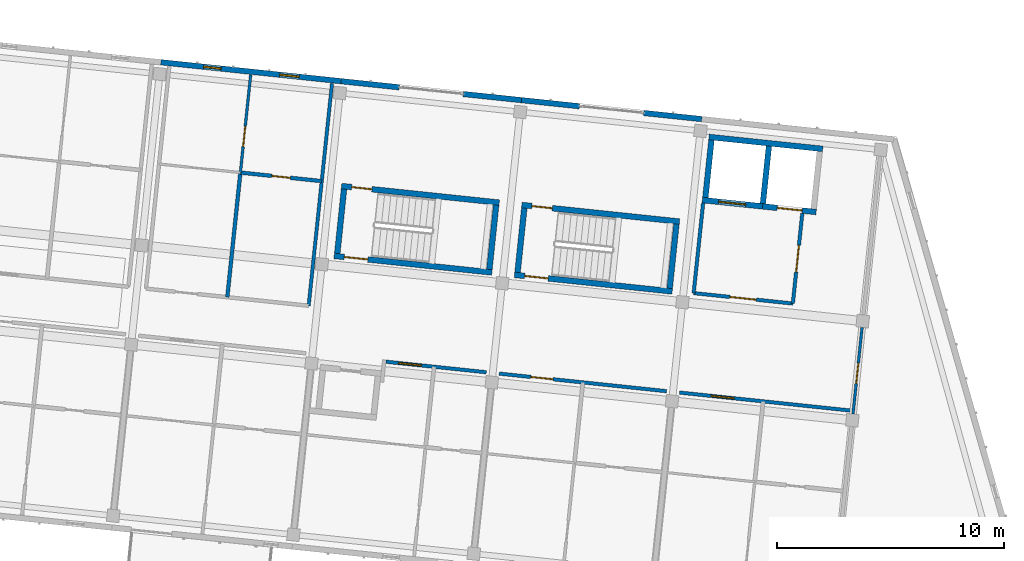
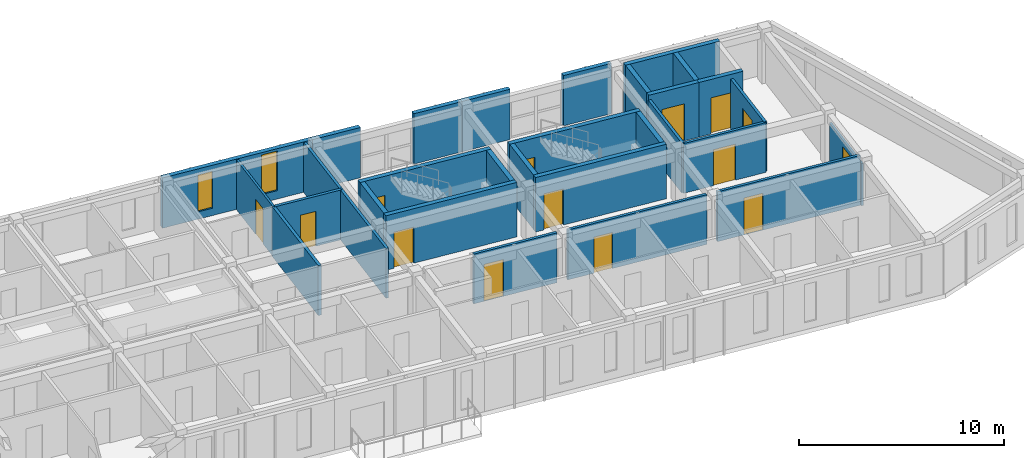
# One storey, part 38 of 66: 29 walls, 14 doors, 2 windows, 16 openings.
"""IFC4 building model written with IfcOpenShell, lengths in metres."""

from ifc_helpers import new_model, si_unit, direction, frame, frame_2d, origin, place, context, subcontext, project, spatial, rectangle, extrude, material, layer, layer_set, type_object, element, fill, save


model = new_model("IFC4")

# Units and contexts
model_context = context("Model", 3, precision=1e-05, world=origin(), true_north=direction((0.0, 1.0)))
body_context = subcontext(model_context, "Body", "Model", "MODEL_VIEW")
ifc_project = project(units=[si_unit("LENGTHUNIT", "METRE"), si_unit("AREAUNIT", "SQUARE_METRE"), si_unit("VOLUMEUNIT", "CUBIC_METRE"), si_unit("PLANEANGLEUNIT", "RADIAN"), si_unit("MASSUNIT", "GRAM", prefix="KILO")], contexts=[model_context])

# Site, building, storey
site_placement = place(None, origin())
site = spatial("IfcSite", under=ifc_project, at=site_placement, CompositionType="ELEMENT")
building_placement = place(site_placement, origin())
building = spatial("IfcBuilding", under=site, at=building_placement, Name="Kestramere Prow Commons", CompositionType="ELEMENT")
storey_placement = place(building_placement, frame((0.0, 0.0, 14.89990234375)))
storey = spatial("IfcBuildingStorey", under=building, at=storey_placement, Name="L04", CompositionType="ELEMENT", Elevation=14.89990234375)

# Wall, openings, windows
ifc_material_1 = material(Name="Fluoropolymer Standing-Seam Zinc-Aluminium Cladding", Category="aluminium")
ifc_layer_1 = layer(ifc_material_1, 0.239990234375)
ifc_layer_set_1 = layer_set([ifc_layer_1], Name="Fluoropolymer Standing-Seam Zinc-Aluminium Cladding")
wall_type_1 = type_object("IfcWallType", Name="EW-SEAM-240", PredefinedType="SOLIDWALL", material=ifc_layer_set_1)
wall_1_placement = place(storey_placement, frame((128.015869140625, 113.142333984375, 0.0), z_axis=(0.0, 0.0, 1.0), x_axis=(0.994522662826, -0.104521161134, 0.0)))
wall_1 = element("IfcWall", 1, at=wall_1_placement, inside=storey, type_object=wall_type_1, Name="Block B L04 North Standing-Seam Wall 3", PredefinedType="SOLIDWALL", context=body_context, shape_type="SweptSolid", body=[
    extrude(rectangle(XDim=8.0, YDim=0.239990234375, at=frame_2d((4.0, 0.0))), origin(), (0.0, 0.0, 1.0), 3.0),
])
opening_1_placement = place(wall_1_placement, frame((1.894775390625, 0.0, 0.43994140625)))
opening_1 = element("IfcOpeningElement", 2, at=opening_1_placement, cuts=wall_1, Name="Opening WN-11", PredefinedType="OPENING", context=body_context, shape_type="SweptSolid", body=[
    extrude(rectangle(XDim=0.780029296875, YDim=2.199951171875, at=frame_2d((0.39013671875, 1.10009765625))), frame((0.0, 0.135009765625, 0.0), z_axis=(0.0, -1.0, 0.0), x_axis=(1.0, 0.0, 0.0)), (0.0, 0.0, 1.0), 0.27001953125),
])
opening_2_placement = place(wall_1_placement, frame((5.27587890625, 0.0, 0.5)))
opening_2 = element("IfcOpeningElement", 3, at=opening_2_placement, cuts=wall_1, Name="Opening WN-15", PredefinedType="OPENING", context=body_context, shape_type="SweptSolid", body=[
    extrude(rectangle(XDim=0.860107421875, YDim=2.360107421875, at=frame_2d((0.43017578125, 1.18017578125))), frame((0.0, 0.135009765625, 0.0), z_axis=(0.0, -1.0, 0.0), x_axis=(1.0, 0.0, 0.0)), (0.0, 0.0, 1.0), 0.27001953125),
])
ifc_material_2 = material(Name="Low-E Laminated Double Glazing", Category="glass")
window_type_1 = type_object("IfcWindowType", Name="WN-NAR-780A", PartitioningType="SINGLE_PANEL", PredefinedType="WINDOW", material=ifc_material_2)
window_1_placement = place(opening_1_placement, origin())
window_1 = element("IfcWindow", 4, at=window_1_placement, inside=storey, type_object=window_type_1, Name="WN-B-L04-N-2-0", OverallHeight=2.199951171875, OverallWidth=0.780029296875, PartitioningType="SINGLE_PANEL", PredefinedType="WINDOW", context=body_context, shape_type="SweptSolid", body=[
    extrude(rectangle(XDim=0.780029296875, YDim=2.199951171875, at=frame_2d((0.39013671875, 1.10009765625))), frame((0.0, 0.030029296875, 0.0), z_axis=(0.0, -1.0, 0.0), x_axis=(1.0, 0.0, 0.0)), (0.0, 0.0, 1.0), 0.06005859375),
])
fill(opening_1, window_1)
window_type_2 = type_object("IfcWindowType", Name="WN-NAR-860A", PartitioningType="DOUBLE_PANEL_VERTICAL", PredefinedType="WINDOW", material=ifc_material_2)
window_2_placement = place(opening_2_placement, origin())
window_2 = element("IfcWindow", 5, at=window_2_placement, inside=storey, type_object=window_type_2, Name="WN-B-L04-N-2-1", OverallHeight=2.360107421875, OverallWidth=0.860107421875, PartitioningType="SINGLE_PANEL", PredefinedType="WINDOW", context=body_context, shape_type="SweptSolid", body=[
    extrude(rectangle(XDim=0.860107421875, YDim=2.360107421875, at=frame_2d((0.43017578125, 1.18017578125))), frame((0.0, 0.030029296875, 0.0), z_axis=(0.0, -1.0, 0.0), x_axis=(1.0, 0.0, 0.0)), (0.0, 0.0, 1.0), 0.06005859375),
])
fill(opening_2, window_2)

# Walls
for number, where, z_axis, x_axis, name in (
    (6, (135.97216796875, 112.30615234375, 0.0), (0.0, 0.0, 1.0), (0.99451635776, -0.104581136677, 0.0), "Block B L04 North Standing-Seam Pier 4L"),
    (7, (141.367431640625, 111.739013671875, 0.0), (0.0, 0.0, 1.0), (0.99451635776, -0.104581136677, 0.0), "Block B L04 North Standing-Seam Pier 4R"),
):
    element("IfcWall", number, at=place(storey_placement, frame(where, z_axis=z_axis, x_axis=x_axis)), inside=storey, type_object=wall_type_1, Name=name, PredefinedType="SOLIDWALL", context=body_context, shape_type="SweptSolid", body=[
        extrude(rectangle(XDim=2.574951171875, YDim=0.239990234375, at=frame_2d((1.28759765625, 0.0))), origin(), (0.0, 0.0, 1.0), 3.0),
    ])
wall_2_placement = place(storey_placement, frame((143.92822265625, 111.4697265625, 0.0), z_axis=(0.0, 0.0, 1.0), x_axis=(0.994527249958, -0.104477505191, 0.0)))
element("IfcWall", 8, at=wall_2_placement, inside=storey, type_object=wall_type_1, Name="Block B L04 North Standing-Seam Pier 5L", PredefinedType="SOLIDWALL", context=body_context, shape_type="SweptSolid", body=[
    extrude(rectangle(XDim=2.5751953125, YDim=0.239990234375, at=frame_2d((1.28759765625, 0.0))), origin(), (0.0, 0.0, 1.0), 3.0),
])
wall_3_placement = place(storey_placement, frame((149.32373046875, 110.90283203125, 0.0), z_axis=(0.0, 0.0, 1.0), x_axis=(0.99451635776, -0.104581136677, 0.0)))
element("IfcWall", 9, at=wall_3_placement, inside=storey, type_object=wall_type_1, Name="Block B L04 North Standing-Seam Pier 5R", PredefinedType="SOLIDWALL", context=body_context, shape_type="SweptSolid", body=[
    extrude(rectangle(XDim=2.574951171875, YDim=0.239990234375, at=frame_2d((1.28759765625, 0.0))), origin(), (0.0, 0.0, 1.0), 3.0),
])
ifc_material_3 = material(Name="Concrete C40/50", Category="concrete")
ifc_layer_2 = layer(ifc_material_3, 0.25)
ifc_layer_set_2 = layer_set([ifc_layer_2], Name="Concrete C40/50")
wall_type_2 = type_object("IfcWallType", Name="W-CORE-250", PredefinedType="SHEAR", material=ifc_layer_set_2)
wall_4_placement = place(storey_placement, frame((152.203857421875, 109.845947265625, 0.0), z_axis=(0.0, 0.0, 1.0), x_axis=(0.994522922189, -0.104518693261, 0.0)))
element("IfcWall", 10, at=wall_4_placement, inside=storey, type_object=wall_type_2, Name="Block B L04 Lift Core Back Wall", PredefinedType="SHEAR", context=body_context, shape_type="SweptSolid", body=[
    extrude(rectangle(XDim=5.050048828125, YDim=0.25, at=frame_2d((2.52490234375, 0.0))), origin(), (0.0, 0.0, 1.0), 3.25),
])

# Wall, opening, door
wall_5_placement = place(storey_placement, frame((151.9111328125, 107.061279296875, 0.0), z_axis=(0.0, 0.0, 1.0), x_axis=(0.994524939068, -0.104499500343, 0.0)))
wall_5 = element("IfcWall", 11, at=wall_5_placement, inside=storey, type_object=wall_type_2, Name="Block B L04 Fire Lift Shaft Front Wall", PredefinedType="SHEAR", context=body_context, shape_type="SweptSolid", body=[
    extrude(rectangle(XDim=2.675048828125, YDim=0.25, at=frame_2d((1.33740234375, 0.0))), origin(), (0.0, 0.0, 1.0), 3.25),
])
opening_3_placement = place(wall_5_placement, frame((0.719970703125, 0.0, 0.0)))
opening_3 = element("IfcOpeningElement", 12, at=opening_3_placement, cuts=wall_5, Name="Opening LD-02", PredefinedType="OPENING", context=body_context, shape_type="SweptSolid", body=[
    extrude(rectangle(XDim=1.199951171875, YDim=2.199951171875, at=frame_2d((0.60009765625, 1.10009765625))), frame((0.0, 0.139892578125, 0.0), z_axis=(0.0, -1.0, 0.0), x_axis=(1.0, 0.0, 0.0)), (0.0, 0.0, 1.0), 0.280029296875),
])
ifc_material_4 = material(Name="Brushed Stainless Steel 316", Category="steel")
door_type_1 = type_object("IfcDoorType", Name="LD-02", OperationType="DOUBLE_DOOR_SLIDING", PredefinedType="DOOR", material=ifc_material_4)
door_1_placement = place(opening_3_placement, origin())
door_1 = element("IfcDoor", 13, at=door_1_placement, inside=storey, type_object=door_type_1, Name="FL-B1 L04 Lift Landing Door", OperationType="DOUBLE_DOOR_SLIDING", OverallHeight=2.199951171875, OverallWidth=1.199951171875, PredefinedType="DOOR", context=body_context, shape_type="SweptSolid", body=[
    extrude(rectangle(XDim=1.199951171875, YDim=2.199951171875, at=frame_2d((0.60009765625, 1.10009765625))), frame((0.0, 0.02490234375, 0.0), z_axis=(0.0, -1.0, 0.0), x_axis=(1.0, 0.0, 0.0)), (0.0, 0.0, 1.0), 0.050048828125),
])
fill(opening_3, door_1)

wall_6_placement = place(storey_placement, frame((154.571533203125, 106.78173828125, 0.0), z_axis=(0.0, 0.0, 1.0), x_axis=(0.994520650134, -0.1045403102, 0.0)))
wall_6 = element("IfcWall", 14, at=wall_6_placement, inside=storey, type_object=wall_type_2, Name="Block B L04 Passenger Lift Shaft Front Wall", PredefinedType="SHEAR", context=body_context, shape_type="SweptSolid", body=[
    extrude(rectangle(XDim=2.375, YDim=0.25, at=frame_2d((1.1875, 0.0))), origin(), (0.0, 0.0, 1.0), 3.25),
])
opening_4_placement = place(wall_6_placement, frame((0.64990234375, 0.0, 0.0)))
opening_4 = element("IfcOpeningElement", 15, at=opening_4_placement, cuts=wall_6, Name="Opening LD-01", PredefinedType="OPENING", context=body_context, shape_type="SweptSolid", body=[
    extrude(rectangle(XDim=1.10009765625, YDim=2.14990234375, at=frame_2d((0.550048828125, 1.074951171875))), frame((0.0, 0.139892578125, 0.0), z_axis=(0.0, -1.0, 0.0), x_axis=(1.0, 0.0, 0.0)), (0.0, 0.0, 1.0), 0.280029296875),
])
ifc_material_5 = material(Name="Brushed Stainless Steel 304", Category="steel")
door_type_2 = type_object("IfcDoorType", Name="LD-01", OperationType="DOUBLE_DOOR_SLIDING", PredefinedType="DOOR", material=ifc_material_5)
door_2_placement = place(opening_4_placement, origin())
door_2 = element("IfcDoor", 16, at=door_2_placement, inside=storey, type_object=door_type_2, Name="PL-B2 L04 Lift Landing Door", OperationType="DOUBLE_DOOR_SLIDING", OverallHeight=2.14990234375, OverallWidth=1.10009765625, PredefinedType="DOOR", context=body_context, shape_type="SweptSolid", body=[
    extrude(rectangle(XDim=1.10009765625, YDim=2.14990234375, at=frame_2d((0.550048828125, 1.074951171875))), frame((0.0, 0.02490234375, 0.0), z_axis=(0.0, -1.0, 0.0), x_axis=(1.0, 0.0, 0.0)), (0.0, 0.0, 1.0), 0.050048828125),
])
fill(opening_4, door_2)

# Walls
for number, where, z_axis, x_axis, name in (
    (17, (152.048583984375, 107.172607421875, 0.0), (0.0, 0.0, 1.0), (0.104555197931, 0.994519085079, 0.0), "Block B L04 Lift Core Side Wall L"),
    (18, (154.584716796875, 106.906005859375, 0.0), (0.0, 0.0, 1.0), (0.104555197931, 0.994519085079, 0.0), "Block B L04 Lift Core Side Wall M"),
):
    element("IfcWall", number, at=place(storey_placement, frame(where, z_axis=z_axis, x_axis=x_axis)), inside=storey, type_object=wall_type_2, Name=name, PredefinedType="SHEAR", context=body_context, shape_type="SweptSolid", body=[
        extrude(rectangle(XDim=2.5498046875, YDim=0.25, at=frame_2d((1.27490234375, 0.0))), origin(), (0.0, 0.0, 1.0), 3.25),
    ])

# Wall, opening, door
wall_7_placement = place(storey_placement, frame((135.988525390625, 107.678955078125, 0.0), z_axis=(0.0, 0.0, 1.0), x_axis=(0.994522066748, -0.104526832686, 0.0)))
wall_7 = element("IfcWall", 19, at=wall_7_placement, inside=storey, type_object=wall_type_2, Name="ST-B1 L04 North Shaft Wall", PredefinedType="SHEAR", context=body_context, shape_type="SweptSolid", body=[
    extrude(rectangle(XDim=7.0, YDim=0.25, at=frame_2d((3.5, 0.0))), origin(), (0.0, 0.0, 1.0), 3.25),
])
opening_5_placement = place(wall_7_placement, frame((0.449951171875, 0.0, 0.0)))
opening_5 = element("IfcOpeningElement", 20, at=opening_5_placement, cuts=wall_7, Name="Opening ID-08", PredefinedType="OPENING", context=body_context, shape_type="SweptSolid", body=[
    extrude(rectangle(XDim=0.89990234375, YDim=2.10009765625, at=frame_2d((0.449951171875, 1.050048828125))), frame((0.0, 0.139892578125, 0.0), z_axis=(0.0, -1.0, 0.0), x_axis=(1.0, 0.0, 0.0)), (0.0, 0.0, 1.0), 0.280029296875),
])
ifc_material_6 = material(Name="Engineered Timber Flush Door", Category="wood")
door_type_3 = type_object("IfcDoorType", Name="D-RM-01", OperationType="NOTDEFINED", PredefinedType="DOOR", material=ifc_material_6)
door_3_placement = place(opening_5_placement, origin())
door_3 = element("IfcDoor", 21, at=door_3_placement, inside=storey, type_object=door_type_3, Name="ST-B1 L04 North Room Door", OperationType="SINGLE_SWING_RIGHT", OverallHeight=2.10009765625, OverallWidth=0.89990234375, PredefinedType="DOOR", context=body_context, shape_type="SweptSolid", body=[
    extrude(rectangle(XDim=0.89990234375, YDim=2.10009765625, at=frame_2d((0.449951171875, 1.050048828125))), frame((0.0, 0.02490234375, 0.0), z_axis=(0.0, -1.0, 0.0), x_axis=(1.0, 0.0, 0.0)), (0.0, 0.0, 1.0), 0.050048828125),
])
fill(opening_5, door_3)

wall_8_placement = place(storey_placement, frame((135.66455078125, 104.595947265625, 0.0), z_axis=(0.0, 0.0, 1.0), x_axis=(0.994522066748, -0.104526832686, 0.0)))
wall_8 = element("IfcWall", 22, at=wall_8_placement, inside=storey, type_object=wall_type_2, Name="ST-B1 L04 Corridor Shaft Wall", PredefinedType="SHEAR", context=body_context, shape_type="SweptSolid", body=[
    extrude(rectangle(XDim=7.0, YDim=0.25, at=frame_2d((3.5, 0.0))), origin(), (0.0, 0.0, 1.0), 3.25),
])
opening_6_placement = place(wall_8_placement, frame((0.449951171875, 0.0, 0.0)))
opening_6 = element("IfcOpeningElement", 23, at=opening_6_placement, cuts=wall_8, Name="Opening ID-01", PredefinedType="OPENING", context=body_context, shape_type="SweptSolid", body=[
    extrude(rectangle(XDim=1.050048828125, YDim=2.14990234375, at=frame_2d((0.52490234375, 1.074951171875))), frame((0.0, 0.139892578125, 0.0), z_axis=(0.0, -1.0, 0.0), x_axis=(1.0, 0.0, 0.0)), (0.0, 0.0, 1.0), 0.280029296875),
])
ifc_material_7 = material(Name="Fire-Rated Timber and Steel Frame", Category="steel")
door_type_4 = type_object("IfcDoorType", Name="FD-ST-01", OperationType="NOTDEFINED", PredefinedType="DOOR", material=ifc_material_7)
door_4_placement = place(opening_6_placement, origin())
door_4 = element("IfcDoor", 24, at=door_4_placement, inside=storey, type_object=door_type_4, Name="ST-B1 L04 Protected Stair Door", OperationType="SINGLE_SWING_LEFT", OverallHeight=2.14990234375, OverallWidth=1.050048828125, PredefinedType="DOOR", context=body_context, shape_type="SweptSolid", body=[
    extrude(rectangle(XDim=1.050048828125, YDim=2.14990234375, at=frame_2d((0.52490234375, 1.074951171875))), frame((0.0, 0.02490234375, 0.0), z_axis=(0.0, -1.0, 0.0), x_axis=(1.0, 0.0, 0.0)), (0.0, 0.0, 1.0), 0.050048828125),
])
fill(opening_6, door_4)

# Walls
for number, where, z_axis, x_axis, name in (
    (25, (135.802001953125, 104.707275390625, 0.0), (0.0, 0.0, 1.0), (0.104515324063, 0.994523276267, 0.0), "ST-B1 L04 Near Shaft Wall"),
    (26, (142.514892578125, 104.001708984375, 0.0), (0.0, 0.0, 1.0), (0.104515324063, 0.994523276267, 0.0), "ST-B1 L04 Far Shaft Wall"),
):
    element("IfcWall", number, at=place(storey_placement, frame(where, z_axis=z_axis, x_axis=x_axis)), inside=storey, type_object=wall_type_2, Name=name, PredefinedType="SHEAR", context=body_context, shape_type="SweptSolid", body=[
        extrude(rectangle(XDim=2.849853515625, YDim=0.25, at=frame_2d((1.4248046875, 0.0))), origin(), (0.0, 0.0, 1.0), 3.25),
    ])

# Wall, opening, door
wall_9_placement = place(storey_placement, frame((143.94482421875, 106.8427734375, 0.0), z_axis=(0.0, 0.0, 1.0), x_axis=(0.994522066748, -0.104526832686, 0.0)))
wall_9 = element("IfcWall", 27, at=wall_9_placement, inside=storey, type_object=wall_type_2, Name="ST-B2 L04 North Shaft Wall", PredefinedType="SHEAR", context=body_context, shape_type="SweptSolid", body=[
    extrude(rectangle(XDim=7.0, YDim=0.25, at=frame_2d((3.5, 0.0))), origin(), (0.0, 0.0, 1.0), 3.25),
])
opening_7_placement = place(wall_9_placement, frame((0.449951171875, 0.0, 0.0)))
opening_7 = element("IfcOpeningElement", 28, at=opening_7_placement, cuts=wall_9, Name="Opening ID-08", PredefinedType="OPENING", context=body_context, shape_type="SweptSolid", body=[
    extrude(rectangle(XDim=0.89990234375, YDim=2.10009765625, at=frame_2d((0.449951171875, 1.050048828125))), frame((0.0, 0.139892578125, 0.0), z_axis=(0.0, -1.0, 0.0), x_axis=(1.0, 0.0, 0.0)), (0.0, 0.0, 1.0), 0.280029296875),
])
door_5_placement = place(opening_7_placement, origin())
door_5 = element("IfcDoor", 29, at=door_5_placement, inside=storey, type_object=door_type_3, Name="ST-B2 L04 North Room Door", OperationType="SINGLE_SWING_RIGHT", OverallHeight=2.10009765625, OverallWidth=0.89990234375, PredefinedType="DOOR", context=body_context, shape_type="SweptSolid", body=[
    extrude(rectangle(XDim=0.89990234375, YDim=2.10009765625, at=frame_2d((0.449951171875, 1.050048828125))), frame((0.0, 0.02490234375, 0.0), z_axis=(0.0, -1.0, 0.0), x_axis=(1.0, 0.0, 0.0)), (0.0, 0.0, 1.0), 0.050048828125),
])
fill(opening_7, door_5)

wall_10_placement = place(storey_placement, frame((143.62060546875, 103.759765625, 0.0), z_axis=(0.0, 0.0, 1.0), x_axis=(0.994522066748, -0.104526832686, 0.0)))
wall_10 = element("IfcWall", 30, at=wall_10_placement, inside=storey, type_object=wall_type_2, Name="ST-B2 L04 Corridor Shaft Wall", PredefinedType="SHEAR", context=body_context, shape_type="SweptSolid", body=[
    extrude(rectangle(XDim=7.0, YDim=0.25, at=frame_2d((3.5, 0.0))), origin(), (0.0, 0.0, 1.0), 3.25),
])
opening_8_placement = place(wall_10_placement, frame((0.449951171875, 0.0, 0.0)))
opening_8 = element("IfcOpeningElement", 31, at=opening_8_placement, cuts=wall_10, Name="Opening ID-01", PredefinedType="OPENING", context=body_context, shape_type="SweptSolid", body=[
    extrude(rectangle(XDim=1.050048828125, YDim=2.14990234375, at=frame_2d((0.52490234375, 1.074951171875))), frame((0.0, 0.139892578125, 0.0), z_axis=(0.0, -1.0, 0.0), x_axis=(1.0, 0.0, 0.0)), (0.0, 0.0, 1.0), 0.280029296875),
])
door_6_placement = place(opening_8_placement, origin())
door_6 = element("IfcDoor", 32, at=door_6_placement, inside=storey, type_object=door_type_4, Name="ST-B2 L04 Protected Stair Door", OperationType="SINGLE_SWING_LEFT", OverallHeight=2.14990234375, OverallWidth=1.050048828125, PredefinedType="DOOR", context=body_context, shape_type="SweptSolid", body=[
    extrude(rectangle(XDim=1.050048828125, YDim=2.14990234375, at=frame_2d((0.52490234375, 1.074951171875))), frame((0.0, 0.02490234375, 0.0), z_axis=(0.0, -1.0, 0.0), x_axis=(1.0, 0.0, 0.0)), (0.0, 0.0, 1.0), 0.050048828125),
])
fill(opening_8, door_6)

# Walls
for number, where, z_axis, x_axis, name in (
    (33, (143.758056640625, 103.87109375, 0.0), (0.0, 0.0, 1.0), (0.104515324063, 0.994523276267, 0.0), "ST-B2 L04 Near Shaft Wall"),
    (34, (150.47119140625, 103.16552734375, 0.0), (0.0, 0.0, 1.0), (0.104515324063, 0.994523276267, 0.0), "ST-B2 L04 Far Shaft Wall"),
):
    element("IfcWall", number, at=place(storey_placement, frame(where, z_axis=z_axis, x_axis=x_axis)), inside=storey, type_object=wall_type_2, Name=name, PredefinedType="SHEAR", context=body_context, shape_type="SweptSolid", body=[
        extrude(rectangle(XDim=2.849853515625, YDim=0.25, at=frame_2d((1.4248046875, 0.0))), origin(), (0.0, 0.0, 1.0), 3.25),
    ])

# Wall, opening, door
ifc_material_8 = material(Name="Fire-Rated Calcium Silicate Wall")
ifc_layer_3 = layer(ifc_material_8, 0.155029296875)
ifc_layer_set_3 = layer_set([ifc_layer_3], Name="Fire-Rated Calcium Silicate Wall")
wall_type_3 = type_object("IfcWallType", Name="W-FIRE-150", PredefinedType="PARTITIONING", material=ifc_layer_set_3)
wall_11_placement = place(storey_placement, frame((151.52978515625, 102.95361328125, 0.0), z_axis=(0.0, 0.0, 1.0), x_axis=(0.994521251134, -0.104534592565, 0.0)))
wall_11 = element("IfcWall", 35, at=wall_11_placement, inside=storey, type_object=wall_type_3, Name="Interior Partition PW-B-L04-FFL-S", PredefinedType="PARTITIONING", context=body_context, shape_type="SweptSolid", body=[
    extrude(rectangle(XDim=4.400146484375, YDim=0.155029296875, at=frame_2d((2.2001953125, 0.0))), origin(), (0.0, 0.0, 1.0), 2.97021484375),
])
opening_9_placement = place(wall_11_placement, frame((1.60009765625, 0.0, 0.0)))
opening_9 = element("IfcOpeningElement", 36, at=opening_9_placement, cuts=wall_11, Name="Opening ID-03", PredefinedType="OPENING", context=body_context, shape_type="SweptSolid", body=[
    extrude(rectangle(XDim=1.179931640625, YDim=2.14990234375, at=frame_2d((0.58984375, 1.074951171875))), frame((0.0, 0.092529296875, 0.0), z_axis=(0.0, -1.0, 0.0), x_axis=(1.0, 0.0, 0.0)), (0.0, 0.0, 1.0), 0.18505859375),
])
ifc_material_9 = material(Name="Fire-Rated Glazed Smoke-Stop Door")
door_type_5 = type_object("IfcDoorType", Name="FD-LB-01", OperationType="NOTDEFINED", PredefinedType="DOOR", material=ifc_material_9)
door_7_placement = place(opening_9_placement, origin())
door_7 = element("IfcDoor", 37, at=door_7_placement, inside=storey, type_object=door_type_5, Name="Interior Door DR-B-L04-FFL", OperationType="SINGLE_SWING_LEFT", OverallHeight=2.14990234375, OverallWidth=1.179931640625, PredefinedType="DOOR", context=body_context, shape_type="SweptSolid", body=[
    extrude(rectangle(XDim=1.179931640625, YDim=2.14990234375, at=frame_2d((0.58984375, 1.074951171875))), frame((0.0, 0.02490234375, 0.0), z_axis=(0.0, -1.0, 0.0), x_axis=(1.0, 0.0, 0.0)), (0.0, 0.0, 1.0), 0.050048828125),
])
fill(opening_9, door_7)

# Wall
wall_12_placement = place(storey_placement, frame((151.52978515625, 102.95361328125, 0.0), z_axis=(0.0, 0.0, 1.0), x_axis=(0.104554517933, 0.994519156568, 0.0)))
element("IfcWall", 38, at=wall_12_placement, inside=storey, type_object=wall_type_3, Name="Interior Partition PW-B-L04-FFL-W", PredefinedType="PARTITIONING", context=body_context, shape_type="SweptSolid", body=[
    extrude(rectangle(XDim=4.0, YDim=0.155029296875, at=frame_2d((2.0, 0.0))), origin(), (0.0, 0.0, 1.0), 2.97021484375),
])

# Wall, opening, door
wall_13_placement = place(storey_placement, frame((155.90576171875, 102.49365234375, 0.0), z_axis=(0.0, 0.0, 1.0), x_axis=(0.104494148666, 0.99452550138, 0.0)))
wall_13 = element("IfcWall", 39, at=wall_13_placement, inside=storey, type_object=wall_type_3, Name="Interior Partition PW-B-L04-FFL-E", PredefinedType="PARTITIONING", context=body_context, shape_type="SweptSolid", body=[
    extrude(rectangle(XDim=4.0, YDim=0.155029296875, at=frame_2d((2.0, 0.0))), origin(), (0.0, 0.0, 1.0), 2.97021484375),
])
opening_10_placement = place(wall_13_placement, frame((1.39990234375, 0.0, 0.0)))
opening_10 = element("IfcOpeningElement", 40, at=opening_10_placement, cuts=wall_13, Name="Opening ID-03", PredefinedType="OPENING", context=body_context, shape_type="SweptSolid", body=[
    extrude(rectangle(XDim=1.179931640625, YDim=2.14990234375, at=frame_2d((0.58984375, 1.074951171875))), frame((0.0, 0.092529296875, 0.0), z_axis=(0.0, -1.0, 0.0), x_axis=(1.0, 0.0, 0.0)), (0.0, 0.0, 1.0), 0.18505859375),
])
door_8_placement = place(opening_10_placement, origin())
door_8 = element("IfcDoor", 41, at=door_8_placement, inside=storey, type_object=door_type_5, Name="Interior Door DR-B-L04-FFL-PL", OperationType="SINGLE_SWING_LEFT", OverallHeight=2.14990234375, OverallWidth=1.179931640625, PredefinedType="DOOR", context=body_context, shape_type="SweptSolid", body=[
    extrude(rectangle(XDim=1.179931640625, YDim=2.14990234375, at=frame_2d((0.58984375, 1.074951171875))), frame((0.0, 0.02490234375, 0.0), z_axis=(0.0, -1.0, 0.0), x_axis=(1.0, 0.0, 0.0)), (0.0, 0.0, 1.0), 0.050048828125),
])
fill(opening_10, door_8)

wall_14_placement = place(storey_placement, frame((137.948974609375, 99.926513671875, 0.0), z_axis=(0.0, 0.0, 1.0), x_axis=(0.994524354209, -0.104505066315, 0.0)))
wall_14 = element("IfcWall", 42, at=wall_14_placement, inside=storey, type_object=wall_type_3, Name="Interior Partition PW-B-L04-CS-3", PredefinedType="PARTITIONING", context=body_context, shape_type="SweptSolid", body=[
    extrude(rectangle(XDim=4.455078125, YDim=0.155029296875, at=frame_2d((2.2275390625, 0.0))), origin(), (0.0, 0.0, 1.0), 2.97021484375),
])
opening_11_placement = place(wall_14_placement, frame((0.556884765625, 0.0, 0.0)))
opening_11 = element("IfcOpeningElement", 43, at=opening_11_placement, cuts=wall_14, Name="Opening ID-05", PredefinedType="OPENING", context=body_context, shape_type="SweptSolid", body=[
    extrude(rectangle(XDim=1.02001953125, YDim=2.199951171875, at=frame_2d((0.510009765625, 1.10009765625))), frame((0.0, 0.092529296875, 0.0), z_axis=(0.0, -1.0, 0.0), x_axis=(1.0, 0.0, 0.0)), (0.0, 0.0, 1.0), 0.18505859375),
])
ifc_material_10 = material(Name="Hardwood Fire-Rated Flat Entrance Door", Category="wood")
door_type_6 = type_object("IfcDoorType", Name="FD-ENT-02", OperationType="NOTDEFINED", PredefinedType="DOOR", material=ifc_material_10)
door_9_placement = place(opening_11_placement, origin())
door_9 = element("IfcDoor", 44, at=door_9_placement, inside=storey, type_object=door_type_6, Name="Interior Door DR-B-L04-ENT-S3", OperationType="SINGLE_SWING_RIGHT", OverallHeight=2.199951171875, OverallWidth=1.02001953125, PredefinedType="DOOR", context=body_context, shape_type="SweptSolid", body=[
    extrude(rectangle(XDim=1.02001953125, YDim=2.199951171875, at=frame_2d((0.510009765625, 1.10009765625))), frame((0.0, 0.02490234375, 0.0), z_axis=(0.0, -1.0, 0.0), x_axis=(1.0, 0.0, 0.0)), (0.0, 0.0, 1.0), 0.050048828125),
])
fill(opening_11, door_9)

wall_15_placement = place(storey_placement, frame((142.946533203125, 99.4013671875, 0.0), z_axis=(0.0, 0.0, 1.0), x_axis=(0.994522184982, -0.104525707739, 0.0)))
wall_15 = element("IfcWall", 45, at=wall_15_placement, inside=storey, type_object=wall_type_3, Name="Interior Partition PW-B-L04-CS-4", PredefinedType="PARTITIONING", context=body_context, shape_type="SweptSolid", body=[
    extrude(rectangle(XDim=7.429931640625, YDim=0.155029296875, at=frame_2d((3.71484375, 0.0))), origin(), (0.0, 0.0, 1.0), 2.97021484375),
])
opening_12_placement = place(wall_15_placement, frame((1.405029296875, 0.0, 0.0)))
opening_12 = element("IfcOpeningElement", 46, at=opening_12_placement, cuts=wall_15, Name="Opening ID-04", PredefinedType="OPENING", context=body_context, shape_type="SweptSolid", body=[
    extrude(rectangle(XDim=0.97998046875, YDim=2.14990234375, at=frame_2d((0.489990234375, 1.074951171875))), frame((0.0, 0.092529296875, 0.0), z_axis=(0.0, -1.0, 0.0), x_axis=(1.0, 0.0, 0.0)), (0.0, 0.0, 1.0), 0.18505859375),
])
door_type_7 = type_object("IfcDoorType", Name="FD-ENT-01", OperationType="NOTDEFINED", PredefinedType="DOOR", material=ifc_material_10)
door_10_placement = place(opening_12_placement, origin())
door_10 = element("IfcDoor", 47, at=door_10_placement, inside=storey, type_object=door_type_7, Name="Interior Door DR-B-L04-ENT-S4", OperationType="SINGLE_SWING_LEFT", OverallHeight=2.14990234375, OverallWidth=0.97998046875, PredefinedType="DOOR", context=body_context, shape_type="SweptSolid", body=[
    extrude(rectangle(XDim=0.97998046875, YDim=2.14990234375, at=frame_2d((0.489990234375, 1.074951171875))), frame((0.0, 0.02490234375, 0.0), z_axis=(0.0, -1.0, 0.0), x_axis=(1.0, 0.0, 0.0)), (0.0, 0.0, 1.0), 0.050048828125),
])
fill(opening_12, door_10)

wall_16_placement = place(storey_placement, frame((150.902587890625, 98.565185546875, 0.0), z_axis=(0.0, 0.0, 1.0), x_axis=(0.994522762445, -0.104520213258, 0.0)))
wall_16 = element("IfcWall", 48, at=wall_16_placement, inside=storey, type_object=wall_type_3, Name="Interior Partition PW-B-L04-CS-5", PredefinedType="PARTITIONING", context=body_context, shape_type="SweptSolid", body=[
    extrude(rectangle(XDim=7.645263671875, YDim=0.155029296875, at=frame_2d((3.82275390625, 0.0))), origin(), (0.0, 0.0, 1.0), 2.97021484375),
])
opening_13_placement = place(wall_16_placement, frame((1.405029296875, 0.0, 0.0)))
opening_13 = element("IfcOpeningElement", 49, at=opening_13_placement, cuts=wall_16, Name="Opening ID-05", PredefinedType="OPENING", context=body_context, shape_type="SweptSolid", body=[
    extrude(rectangle(XDim=1.02001953125, YDim=2.199951171875, at=frame_2d((0.510009765625, 1.10009765625))), frame((0.0, 0.092529296875, 0.0), z_axis=(0.0, -1.0, 0.0), x_axis=(1.0, 0.0, 0.0)), (0.0, 0.0, 1.0), 0.18505859375),
])
door_11_placement = place(opening_13_placement, origin())
door_11 = element("IfcDoor", 50, at=door_11_placement, inside=storey, type_object=door_type_6, Name="Interior Door DR-B-L04-ENT-S5", OperationType="SINGLE_SWING_RIGHT", OverallHeight=2.199951171875, OverallWidth=1.02001953125, PredefinedType="DOOR", context=body_context, shape_type="SweptSolid", body=[
    extrude(rectangle(XDim=1.02001953125, YDim=2.199951171875, at=frame_2d((0.510009765625, 1.10009765625))), frame((0.0, 0.02490234375, 0.0), z_axis=(0.0, -1.0, 0.0), x_axis=(1.0, 0.0, 0.0)), (0.0, 0.0, 1.0), 0.050048828125),
])
fill(opening_13, door_11)

ifc_material_11 = material(Name="Lightweight Blockwork and Plaster", Category="masonry")
ifc_layer_4 = layer(ifc_material_11, 0.1201171875)
ifc_layer_set_4 = layer_set([ifc_layer_4], Name="Lightweight Blockwork and Plaster")
wall_type_4 = type_object("IfcWallType", Name="W-PART-120", PredefinedType="PARTITIONING", material=ifc_layer_set_4)
wall_17_placement = place(storey_placement, frame((158.561279296875, 97.62451171875, 0.0), z_axis=(0.0, 0.0, 1.0), x_axis=(0.104545412893, 0.994520113745, 0.0)))
wall_17 = element("IfcWall", 51, at=wall_17_placement, inside=storey, type_object=wall_type_4, Name="Interior Partition PW-B-L04-PROW-ACC", PredefinedType="PARTITIONING", context=body_context, shape_type="SweptSolid", body=[
    extrude(rectangle(XDim=3.829833984375, YDim=0.1201171875, at=frame_2d((1.9150390625, 0.0))), origin(), (0.0, 0.0, 1.0), 2.5),
])
opening_14_placement = place(wall_17_placement, frame((1.35009765625, 0.0, 0.0)))
opening_14 = element("IfcOpeningElement", 52, at=opening_14_placement, cuts=wall_17, Name="Opening ID-08", PredefinedType="OPENING", context=body_context, shape_type="SweptSolid", body=[
    extrude(rectangle(XDim=0.89990234375, YDim=2.10009765625, at=frame_2d((0.449951171875, 1.050048828125))), frame((0.0, 0.074951171875, 0.0), z_axis=(0.0, -1.0, 0.0), x_axis=(1.0, 0.0, 0.0)), (0.0, 0.0, 1.0), 0.150146484375),
])
door_12_placement = place(opening_14_placement, origin())
door_12 = element("IfcDoor", 53, at=door_12_placement, inside=storey, type_object=door_type_3, Name="Interior Door DR-B-L04-PROW", OperationType="SINGLE_SWING_LEFT", OverallHeight=2.10009765625, OverallWidth=0.89990234375, PredefinedType="DOOR", context=body_context, shape_type="SweptSolid", body=[
    extrude(rectangle(XDim=0.89990234375, YDim=2.10009765625, at=frame_2d((0.449951171875, 1.050048828125))), frame((0.0, 0.02490234375, 0.0), z_axis=(0.0, -1.0, 0.0), x_axis=(1.0, 0.0, 0.0)), (0.0, 0.0, 1.0), 0.050048828125),
])
fill(opening_14, door_12)

wall_18_placement = place(storey_placement, frame((131.5263671875, 108.273681640625, 0.0), z_axis=(0.0, 0.0, 1.0), x_axis=(0.104520797474, 0.994522701046, 0.0)))
wall_18 = element("IfcWall", 54, at=wall_18_placement, inside=storey, type_object=wall_type_4, Name="Interior Partition PW-B-L04-LB-N2", PredefinedType="PARTITIONING", context=body_context, shape_type="SweptSolid", body=[
    extrude(rectangle(XDim=4.33984375, YDim=0.1201171875, at=frame_2d((2.169921875, 0.0))), origin(), (0.0, 0.0, 1.0), 2.97021484375),
])
opening_15_placement = place(wall_18_placement, frame((1.14990234375, 0.0, 0.0)))
opening_15 = element("IfcOpeningElement", 55, at=opening_15_placement, cuts=wall_18, Name="Opening ID-08", PredefinedType="OPENING", context=body_context, shape_type="SweptSolid", body=[
    extrude(rectangle(XDim=0.89990234375, YDim=2.10009765625, at=frame_2d((0.449951171875, 1.050048828125))), frame((0.0, 0.074951171875, 0.0), z_axis=(0.0, -1.0, 0.0), x_axis=(1.0, 0.0, 0.0)), (0.0, 0.0, 1.0), 0.150146484375),
])
door_13_placement = place(opening_15_placement, origin())
door_13 = element("IfcDoor", 56, at=door_13_placement, inside=storey, type_object=door_type_3, Name="Interior Door DR-B-L04-BED-N2", OperationType="SINGLE_SWING_LEFT", OverallHeight=2.10009765625, OverallWidth=0.89990234375, PredefinedType="DOOR", context=body_context, shape_type="SweptSolid", body=[
    extrude(rectangle(XDim=0.89990234375, YDim=2.10009765625, at=frame_2d((0.449951171875, 1.050048828125))), frame((0.0, 0.02490234375, 0.0), z_axis=(0.0, -1.0, 0.0), x_axis=(1.0, 0.0, 0.0)), (0.0, 0.0, 1.0), 0.050048828125),
])
fill(opening_15, door_13)

# Wall
ifc_material_12 = material(Name="Masonry Compartment Wall", Category="masonry")
ifc_layer_5 = layer(ifc_material_12, 0.14990234375)
ifc_layer_set_5 = layer_set([ifc_layer_5], Name="Masonry Compartment Wall")
wall_type_5 = type_object("IfcWallType", Name="W-PART-150", PredefinedType="PARTITIONING", material=ifc_layer_set_5)
wall_19_placement = place(storey_placement, frame((134.53857421875, 102.396728515625, 0.0), z_axis=(0.0, 0.0, 1.0), x_axis=(0.104508379977, 0.994524006002, 0.0)))
element("IfcWall", 57, at=wall_19_placement, inside=storey, type_object=wall_type_5, Name="Interior Partition PW-B-L04-NWR-2", PredefinedType="PARTITIONING", context=body_context, shape_type="SweptSolid", body=[
    extrude(rectangle(XDim=9.869873046875, YDim=0.14990234375, at=frame_2d((4.93505859375, 0.0))), origin(), (0.0, 0.0, 1.0), 2.97021484375),
])

# Wall, opening, door
ifc_material_13 = material(Name="Waterproof Sanitary Masonry Wall", Category="masonry")
ifc_layer_6 = layer(ifc_material_13, 0.1650390625)
ifc_layer_set_6 = layer_set([ifc_layer_6], Name="Waterproof Sanitary Masonry Wall")
wall_type_6 = type_object("IfcWallType", Name="W-PLUMB-150", PredefinedType="PLUMBINGWALL", material=ifc_layer_set_6)
wall_20_placement = place(storey_placement, frame((131.5263671875, 108.273681640625, 0.0), z_axis=(0.0, 0.0, 1.0), x_axis=(0.994518785821, -0.104558044398, 0.0)))
wall_20 = element("IfcWall", 58, at=wall_20_placement, inside=storey, type_object=wall_type_6, Name="Interior Partition PW-B-L04-MIDN2-2", PredefinedType="PLUMBINGWALL", context=body_context, shape_type="SweptSolid", body=[
    extrude(rectangle(XDim=3.60986328125, YDim=0.1650390625, at=frame_2d((1.804931640625, 0.0))), origin(), (0.0, 0.0, 1.0), 2.97021484375),
])
opening_16_placement = place(wall_20_placement, frame((1.39501953125, 0.0, 0.0)))
opening_16 = element("IfcOpeningElement", 59, at=opening_16_placement, cuts=wall_20, Name="Opening ID-11", PredefinedType="OPENING", context=body_context, shape_type="SweptSolid", body=[
    extrude(rectangle(XDim=0.820068359375, YDim=2.080078125, at=frame_2d((0.41015625, 1.0400390625))), frame((0.0, 0.097412109375, 0.0), z_axis=(0.0, -1.0, 0.0), x_axis=(1.0, 0.0, 0.0)), (0.0, 0.0, 1.0), 0.195068359375),
])
ifc_material_14 = material(Name="Moisture-Resistant Timber Bathroom Door", Category="wood")
door_type_8 = type_object("IfcDoorType", Name="D-BT-01", OperationType="NOTDEFINED", PredefinedType="DOOR", material=ifc_material_14)
door_14_placement = place(opening_16_placement, origin())
door_14 = element("IfcDoor", 60, at=door_14_placement, inside=storey, type_object=door_type_8, Name="Interior Door DR-B-L04-BTH-N2", OperationType="SINGLE_SWING_RIGHT", OverallHeight=2.080078125, OverallWidth=0.820068359375, PredefinedType="DOOR", context=body_context, shape_type="SweptSolid", body=[
    extrude(rectangle(XDim=0.820068359375, YDim=2.080078125, at=frame_2d((0.41015625, 1.0400390625))), frame((0.0, 0.02490234375, 0.0), z_axis=(0.0, -1.0, 0.0), x_axis=(1.0, 0.0, 0.0)), (0.0, 0.0, 1.0), 0.050048828125),
])
fill(opening_16, door_14)

# Wall
wall_21_placement = place(storey_placement, frame((130.9482421875, 102.77392578125, 0.0), z_axis=(0.0, 0.0, 1.0), x_axis=(0.104542300532, 0.994520440916, 0.0)))
element("IfcWall", 61, at=wall_21_placement, inside=storey, type_object=wall_type_6, Name="Interior Partition PW-B-L04-KB-N2", PredefinedType="PLUMBINGWALL", context=body_context, shape_type="SweptSolid", body=[
    extrude(rectangle(XDim=5.530029296875, YDim=0.1650390625, at=frame_2d((2.76513671875, 0.0))), origin(), (0.0, 0.0, 1.0), 2.97021484375),
])

save(model, "model.ifc")
